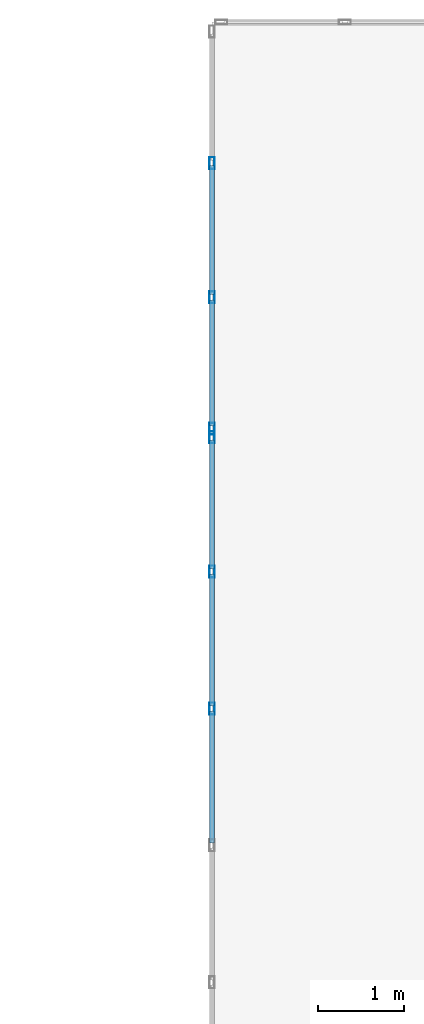
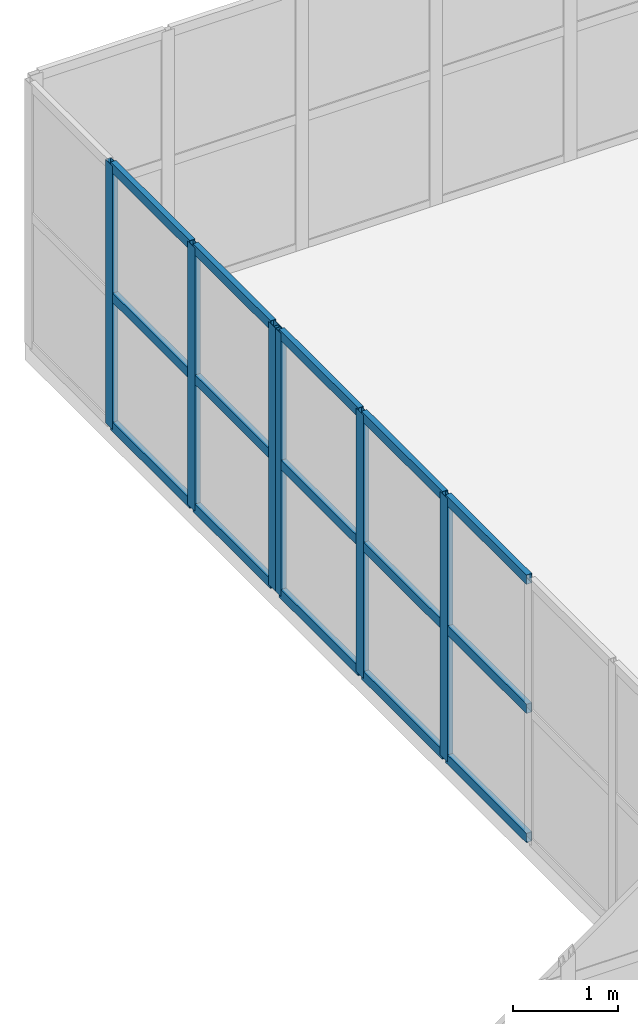
# One storey, part 65 of 148: 21 members, 2 elements without a shape of their own.
"""IFC4 building model written with IfcOpenShell, lengths in metres."""

from ifc_helpers import new_model, si_unit, direction, frame, origin, origin_2d, place, context, subcontext, project, spatial, hollow_rectangle, extrude, material, layer, layer_set, material_profile, profile_set, type_object, element, aggregate, save


model = new_model("IFC4")

# Units and contexts
model_context = context("Model", 3, precision=1e-05, world=origin(), true_north=direction((0.0, 1.0)))
body_context = subcontext(model_context, "Body", "Model", "MODEL_VIEW")
ifc_project = project(units=[si_unit("LENGTHUNIT", "METRE"), si_unit("AREAUNIT", "SQUARE_METRE"), si_unit("VOLUMEUNIT", "CUBIC_METRE"), si_unit("PLANEANGLEUNIT", "RADIAN"), si_unit("MASSUNIT", "GRAM", prefix="KILO")], contexts=[model_context])

# Site, building, storey
site_placement = place(None, origin())
site = spatial("IfcSite", under=ifc_project, at=site_placement, CompositionType="ELEMENT")
building_placement = place(site_placement, origin())
building = spatial("IfcBuilding", under=site, at=building_placement, Name="Trelvath General Hospital", CompositionType="ELEMENT")
storey_placement = place(building_placement, frame((0.0, 0.0, 12.89990234375)))
storey = spatial("IfcBuildingStorey", under=building, at=storey_placement, Name="L03", CompositionType="ELEMENT", Elevation=12.89990234375)

# Curtain wall, members
ifc_material_1 = material(Name="Anodised aluminium and low-E glass", Category="aluminium")
ifc_layer_1 = layer(ifc_material_1, 0.14990234375)
ifc_layer_set_1 = layer_set([ifc_layer_1], Name="Anodised aluminium and low-E glass")
curtain_wall_type_1 = type_object("IfcCurtainWallType", Name="CW CrystalCube 800 306 15", PredefinedType="USERDEFINED", material=ifc_layer_set_1)
curtain_wall_1_placement = place(storey_placement, origin())
curtain_wall_1 = element("IfcCurtainWall", 1, at=curtain_wall_1_placement, inside=storey, type_object=curtain_wall_type_1, Name="Crystal Cube Curtain Wall CUBE-E-T1 W4 L03", ObjectType="Unitised Glazed Curtain Wall", PredefinedType="USERDEFINED")
ifc_material_2 = material(Name="Anodised aluminium", Category="aluminium")
ifc_material_profile_1 = material_profile(ifc_material_2, hollow_rectangle(XDim=0.06005859375, YDim=0.139892578125, WallThickness=0.00390625, at=origin_2d()), Name="RHS60x140x4")
ifc_profile_set_1 = profile_set([ifc_material_profile_1], Name="Anodised aluminium")
member_type_1 = type_object("IfcMemberType", Name="CurtainMullion 60x140", PredefinedType="MULLION", material=ifc_profile_set_1)
member_1_placement = place(storey_placement, frame((92.39990234375, 72.3798828125, 0.0), z_axis=(0.0, 0.0, 1.0), x_axis=(-1.0, 0.0, 0.0)))
member_1 = element("IfcMember", 2, at=member_1_placement, type_object=member_type_1, Name="CW-255 mullion 4", PredefinedType="MULLION", context=body_context, shape_type="SweptSolid", body=[
    extrude(hollow_rectangle(XDim=0.06005859375, YDim=0.139892578125, WallThickness=0.00390625, at=origin_2d()), origin(), (0.0, 0.0, 1.0), 3.06005859375),
])
member_2_placement = place(storey_placement, frame((92.39990234375, 73.97998046875, 0.0), z_axis=(0.0, 0.0, 1.0), x_axis=(-1.0, 0.0, 0.0)))
member_2 = element("IfcMember", 3, at=member_2_placement, type_object=member_type_1, Name="CW-255 mullion 5", PredefinedType="MULLION", context=body_context, shape_type="SweptSolid", body=[
    extrude(hollow_rectangle(XDim=0.06005859375, YDim=0.139892578125, WallThickness=0.00390625, at=origin_2d()), origin(), (0.0, 0.0, 1.0), 3.06005859375),
])
member_3_placement = place(storey_placement, frame((92.39990234375, 75.550048828125, 0.0), z_axis=(0.0, 0.0, 1.0), x_axis=(-1.0, 0.0, 0.0)))
member_3 = element("IfcMember", 4, at=member_3_placement, type_object=member_type_1, Name="CW-255 mullion 6", PredefinedType="MULLION", context=body_context, shape_type="SweptSolid", body=[
    extrude(hollow_rectangle(XDim=0.06005859375, YDim=0.139892578125, WallThickness=0.00390625, at=origin_2d()), origin(), (0.0, 0.0, 1.0), 3.06005859375),
])

ifc_material_3 = material(Name="Anodised aluminium and low-E glass", Category="aluminium")
ifc_layer_2 = layer(ifc_material_3, 0.14990234375)
ifc_layer_set_2 = layer_set([ifc_layer_2], Name="Anodised aluminium and low-E glass")
curtain_wall_type_2 = type_object("IfcCurtainWallType", Name="CW CrystalCube 470 306 15", PredefinedType="USERDEFINED", material=ifc_layer_set_2)
curtain_wall_2_placement = place(storey_placement, origin())
curtain_wall_2 = element("IfcCurtainWall", 5, at=curtain_wall_2_placement, inside=storey, type_object=curtain_wall_type_2, Name="Crystal Cube Curtain Wall CUBE-E-T1 W5 L03", ObjectType="Unitised Glazed Curtain Wall", PredefinedType="USERDEFINED")
member_4_placement = place(storey_placement, frame((92.39990234375, 75.64990234375, 0.0), z_axis=(0.0, 0.0, 1.0), x_axis=(-1.0, 0.0, 0.0)))
member_4 = element("IfcMember", 6, at=member_4_placement, type_object=member_type_1, Name="CW-257 mullion 1", PredefinedType="MULLION", context=body_context, shape_type="SweptSolid", body=[
    extrude(hollow_rectangle(XDim=0.06005859375, YDim=0.139892578125, WallThickness=0.00390625, at=origin_2d()), origin(), (0.0, 0.0, 1.0), 3.06005859375),
])
member_5_placement = place(storey_placement, frame((92.39990234375, 77.186767578125, 0.0), z_axis=(0.0, 0.0, 1.0), x_axis=(-1.0, 0.0, 0.0)))
member_5 = element("IfcMember", 7, at=member_5_placement, type_object=member_type_1, Name="CW-257 mullion 2", PredefinedType="MULLION", context=body_context, shape_type="SweptSolid", body=[
    extrude(hollow_rectangle(XDim=0.06005859375, YDim=0.139892578125, WallThickness=0.00390625, at=origin_2d()), origin(), (0.0, 0.0, 1.0), 3.06005859375),
])
member_6_placement = place(storey_placement, frame((92.39990234375, 78.75341796875, 0.0), z_axis=(0.0, 0.0, 1.0), x_axis=(-1.0, 0.0, 0.0)))
member_6 = element("IfcMember", 8, at=member_6_placement, type_object=member_type_1, Name="CW-257 mullion 3", PredefinedType="MULLION", context=body_context, shape_type="SweptSolid", body=[
    extrude(hollow_rectangle(XDim=0.06005859375, YDim=0.139892578125, WallThickness=0.00390625, at=origin_2d()), origin(), (0.0, 0.0, 1.0), 3.06005859375),
])

# Member
ifc_material_4 = material(Name="Anodised aluminium", Category="aluminium")
ifc_material_profile_2 = material_profile(ifc_material_4, hollow_rectangle(XDim=0.06005859375, YDim=0.110107421875, WallThickness=0.00390625, at=origin_2d()), Name="RHS60x110x4")
ifc_profile_set_2 = profile_set([ifc_material_profile_2], Name="Anodised aluminium")
member_type_2 = type_object("IfcMemberType", Name="CurtainTransom 60x110", PredefinedType="USERDEFINED", material=ifc_profile_set_2)
member_7_placement = place(storey_placement, frame((92.39990234375, 70.81005859375, 0.030029296875), z_axis=(0.0, 1.0, 0.0), x_axis=(-1.0, 0.0, 0.0)))
member_7 = element("IfcMember", 9, at=member_7_placement, type_object=member_type_2, Name="CW-255 transom 3.1", ObjectType="TRANSOM", PredefinedType="USERDEFINED", context=body_context, shape_type="SweptSolid", body=[
    extrude(hollow_rectangle(XDim=0.06005859375, YDim=0.110107421875, WallThickness=0.00390625, at=origin_2d()), origin(), (0.0, 0.0, 1.0), 1.5400390625),
])

member_8_placement = place(storey_placement, frame((92.39990234375, 70.81005859375, 1.530029296875), z_axis=(0.0, 1.0, 0.0), x_axis=(-1.0, 0.0, 0.0)))
member_8 = element("IfcMember", 10, at=member_8_placement, type_object=member_type_2, Name="CW-255 transom 3.2", ObjectType="TRANSOM", PredefinedType="USERDEFINED", context=body_context, shape_type="SweptSolid", body=[
    extrude(hollow_rectangle(XDim=0.06005859375, YDim=0.110107421875, WallThickness=0.00390625, at=origin_2d()), origin(), (0.0, 0.0, 1.0), 1.5400390625),
])

member_9_placement = place(storey_placement, frame((92.39990234375, 70.81005859375, 3.030029296875), z_axis=(0.0, 1.0, 0.0), x_axis=(-1.0, 0.0, 0.0)))
member_9 = element("IfcMember", 11, at=member_9_placement, type_object=member_type_2, Name="CW-255 transom 3.3", ObjectType="TRANSOM", PredefinedType="USERDEFINED", context=body_context, shape_type="SweptSolid", body=[
    extrude(hollow_rectangle(XDim=0.06005859375, YDim=0.110107421875, WallThickness=0.00390625, at=origin_2d()), origin(), (0.0, 0.0, 1.0), 1.5400390625),
])

member_10_placement = place(storey_placement, frame((92.39990234375, 72.409912109375, 0.030029296875), z_axis=(0.0, 1.0, 0.0), x_axis=(-1.0, 0.0, 0.0)))
member_10 = element("IfcMember", 12, at=member_10_placement, type_object=member_type_2, Name="CW-255 transom 4.1", ObjectType="TRANSOM", PredefinedType="USERDEFINED", context=body_context, shape_type="SweptSolid", body=[
    extrude(hollow_rectangle(XDim=0.06005859375, YDim=0.110107421875, WallThickness=0.00390625, at=origin_2d()), origin(), (0.0, 0.0, 1.0), 1.5400390625),
])

member_11_placement = place(storey_placement, frame((92.39990234375, 72.409912109375, 1.530029296875), z_axis=(0.0, 1.0, 0.0), x_axis=(-1.0, 0.0, 0.0)))
member_11 = element("IfcMember", 13, at=member_11_placement, type_object=member_type_2, Name="CW-255 transom 4.2", ObjectType="TRANSOM", PredefinedType="USERDEFINED", context=body_context, shape_type="SweptSolid", body=[
    extrude(hollow_rectangle(XDim=0.06005859375, YDim=0.110107421875, WallThickness=0.00390625, at=origin_2d()), origin(), (0.0, 0.0, 1.0), 1.5400390625),
])

member_12_placement = place(storey_placement, frame((92.39990234375, 72.409912109375, 3.030029296875), z_axis=(0.0, 1.0, 0.0), x_axis=(-1.0, 0.0, 0.0)))
member_12 = element("IfcMember", 14, at=member_12_placement, type_object=member_type_2, Name="CW-255 transom 4.3", ObjectType="TRANSOM", PredefinedType="USERDEFINED", context=body_context, shape_type="SweptSolid", body=[
    extrude(hollow_rectangle(XDim=0.06005859375, YDim=0.110107421875, WallThickness=0.00390625, at=origin_2d()), origin(), (0.0, 0.0, 1.0), 1.5400390625),
])

member_13_placement = place(storey_placement, frame((92.39990234375, 74.010009765625, 0.030029296875), z_axis=(0.0, 1.0, 0.0), x_axis=(-1.0, 0.0, 0.0)))
member_13 = element("IfcMember", 15, at=member_13_placement, type_object=member_type_2, Name="CW-255 transom 5.1", ObjectType="TRANSOM", PredefinedType="USERDEFINED", context=body_context, shape_type="SweptSolid", body=[
    extrude(hollow_rectangle(XDim=0.06005859375, YDim=0.110107421875, WallThickness=0.00390625, at=origin_2d()), origin(), (0.0, 0.0, 1.0), 1.510009765625),
])

member_14_placement = place(storey_placement, frame((92.39990234375, 74.010009765625, 1.530029296875), z_axis=(0.0, 1.0, 0.0), x_axis=(-1.0, 0.0, 0.0)))
member_14 = element("IfcMember", 16, at=member_14_placement, type_object=member_type_2, Name="CW-255 transom 5.2", ObjectType="TRANSOM", PredefinedType="USERDEFINED", context=body_context, shape_type="SweptSolid", body=[
    extrude(hollow_rectangle(XDim=0.06005859375, YDim=0.110107421875, WallThickness=0.00390625, at=origin_2d()), origin(), (0.0, 0.0, 1.0), 1.510009765625),
])

member_15_placement = place(storey_placement, frame((92.39990234375, 74.010009765625, 3.030029296875), z_axis=(0.0, 1.0, 0.0), x_axis=(-1.0, 0.0, 0.0)))
member_15 = element("IfcMember", 17, at=member_15_placement, type_object=member_type_2, Name="CW-255 transom 5.3", ObjectType="TRANSOM", PredefinedType="USERDEFINED", context=body_context, shape_type="SweptSolid", body=[
    extrude(hollow_rectangle(XDim=0.06005859375, YDim=0.110107421875, WallThickness=0.00390625, at=origin_2d()), origin(), (0.0, 0.0, 1.0), 1.510009765625),
])

aggregate(curtain_wall_1, [member_1, member_2, member_3, member_7, member_8, member_9, member_10, member_11, member_12, member_13, member_14, member_15])

member_16_placement = place(storey_placement, frame((92.39990234375, 75.679931640625, 0.030029296875), z_axis=(0.0, 1.0, 0.0), x_axis=(-1.0, 0.0, 0.0)))
member_16 = element("IfcMember", 18, at=member_16_placement, type_object=member_type_2, Name="CW-257 transom 1.1", ObjectType="TRANSOM", PredefinedType="USERDEFINED", context=body_context, shape_type="SweptSolid", body=[
    extrude(hollow_rectangle(XDim=0.06005859375, YDim=0.110107421875, WallThickness=0.00390625, at=origin_2d()), origin(), (0.0, 0.0, 1.0), 1.476806640625),
])

member_17_placement = place(storey_placement, frame((92.39990234375, 75.679931640625, 1.530029296875), z_axis=(0.0, 1.0, 0.0), x_axis=(-1.0, 0.0, 0.0)))
member_17 = element("IfcMember", 19, at=member_17_placement, type_object=member_type_2, Name="CW-257 transom 1.2", ObjectType="TRANSOM", PredefinedType="USERDEFINED", context=body_context, shape_type="SweptSolid", body=[
    extrude(hollow_rectangle(XDim=0.06005859375, YDim=0.110107421875, WallThickness=0.00390625, at=origin_2d()), origin(), (0.0, 0.0, 1.0), 1.476806640625),
])

member_18_placement = place(storey_placement, frame((92.39990234375, 75.679931640625, 3.030029296875), z_axis=(0.0, 1.0, 0.0), x_axis=(-1.0, 0.0, 0.0)))
member_18 = element("IfcMember", 20, at=member_18_placement, type_object=member_type_2, Name="CW-257 transom 1.3", ObjectType="TRANSOM", PredefinedType="USERDEFINED", context=body_context, shape_type="SweptSolid", body=[
    extrude(hollow_rectangle(XDim=0.06005859375, YDim=0.110107421875, WallThickness=0.00390625, at=origin_2d()), origin(), (0.0, 0.0, 1.0), 1.476806640625),
])

member_19_placement = place(storey_placement, frame((92.39990234375, 77.216552734375, 0.030029296875), z_axis=(0.0, 1.0, 0.0), x_axis=(-1.0, 0.0, 0.0)))
member_19 = element("IfcMember", 21, at=member_19_placement, type_object=member_type_2, Name="CW-257 transom 2.1", ObjectType="TRANSOM", PredefinedType="USERDEFINED", context=body_context, shape_type="SweptSolid", body=[
    extrude(hollow_rectangle(XDim=0.06005859375, YDim=0.110107421875, WallThickness=0.00390625, at=origin_2d()), origin(), (0.0, 0.0, 1.0), 1.5068359375),
])

member_20_placement = place(storey_placement, frame((92.39990234375, 77.216552734375, 1.530029296875), z_axis=(0.0, 1.0, 0.0), x_axis=(-1.0, 0.0, 0.0)))
member_20 = element("IfcMember", 22, at=member_20_placement, type_object=member_type_2, Name="CW-257 transom 2.2", ObjectType="TRANSOM", PredefinedType="USERDEFINED", context=body_context, shape_type="SweptSolid", body=[
    extrude(hollow_rectangle(XDim=0.06005859375, YDim=0.110107421875, WallThickness=0.00390625, at=origin_2d()), origin(), (0.0, 0.0, 1.0), 1.5068359375),
])

member_21_placement = place(storey_placement, frame((92.39990234375, 77.216552734375, 3.030029296875), z_axis=(0.0, 1.0, 0.0), x_axis=(-1.0, 0.0, 0.0)))
member_21 = element("IfcMember", 23, at=member_21_placement, type_object=member_type_2, Name="CW-257 transom 2.3", ObjectType="TRANSOM", PredefinedType="USERDEFINED", context=body_context, shape_type="SweptSolid", body=[
    extrude(hollow_rectangle(XDim=0.06005859375, YDim=0.110107421875, WallThickness=0.00390625, at=origin_2d()), origin(), (0.0, 0.0, 1.0), 1.5068359375),
])

aggregate(curtain_wall_2, [member_4, member_5, member_6, member_16, member_17, member_18, member_19, member_20, member_21])

save(model, "model.ifc")
